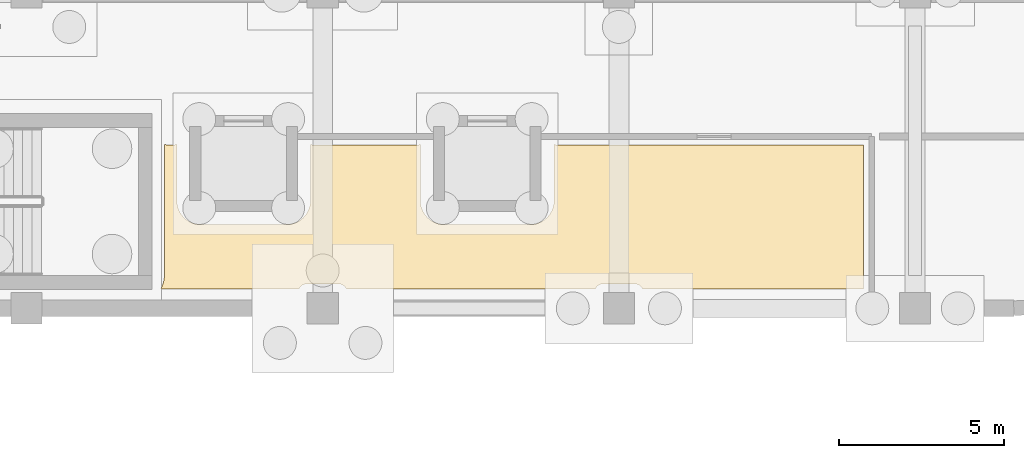
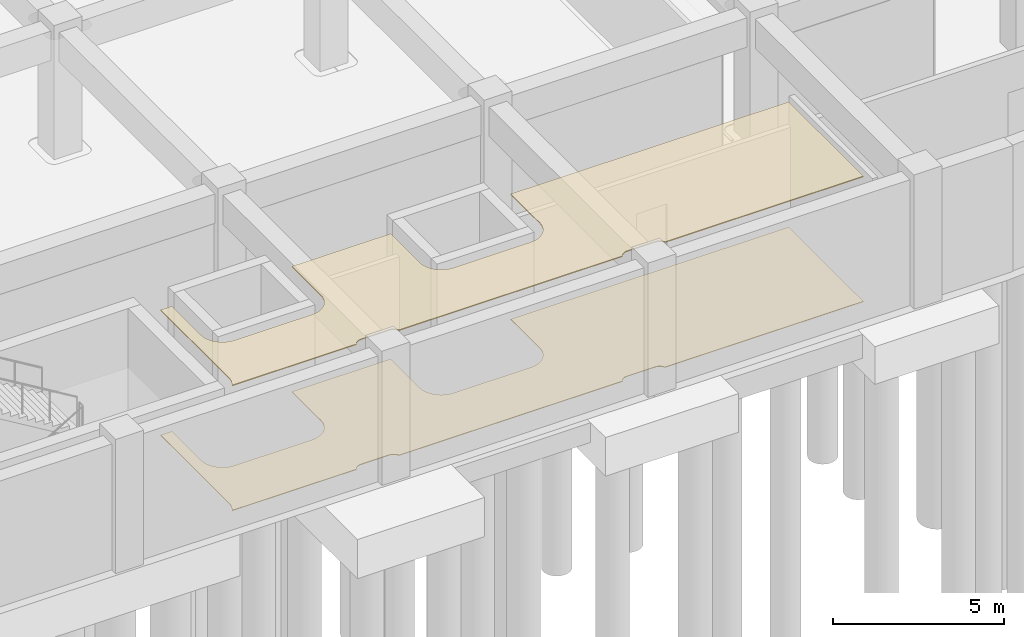
# One storey, part 32 of 47: 2 coverings.
"""IFC4 building model written with IfcOpenShell, lengths in metres."""

from ifc_helpers import new_model, si_unit, direction, frame, origin, place, context, subcontext, project, spatial, polyline, outline, extrude, material, layer, layer_set, type_object, element, save


model = new_model("IFC4")

# Units and contexts
model_context = context("Model", 3, precision=1e-05, world=origin(), true_north=direction((0.0, 1.0)))
body_context = subcontext(model_context, "Body", "Model", "MODEL_VIEW")
ifc_project = project(units=[si_unit("LENGTHUNIT", "METRE"), si_unit("AREAUNIT", "SQUARE_METRE"), si_unit("VOLUMEUNIT", "CUBIC_METRE"), si_unit("PLANEANGLEUNIT", "RADIAN"), si_unit("MASSUNIT", "GRAM", prefix="KILO")], contexts=[model_context])

# Site, building, storey
site_placement = place(None, origin())
site = spatial("IfcSite", under=ifc_project, at=site_placement, CompositionType="ELEMENT")
building_placement = place(site_placement, origin())
building = spatial("IfcBuilding", under=site, at=building_placement, Name="Cendralis Terraced Arcade", CompositionType="ELEMENT")
storey_placement = place(building_placement, frame((0.0, 0.0, -4.800048828125)))
storey = spatial("IfcBuildingStorey", under=building, at=storey_placement, Name="B1", CompositionType="ELEMENT", Elevation=-4.800048828125)

# Coverings
ifc_material = material(Name="Warm Andean oak timber", Category="wood")
ifc_layer_1 = layer(ifc_material, 0.034912109375, Name="COV-CEIL-OAK-35")
ifc_layer_set_1 = layer_set([ifc_layer_1], Name="Warm Andean oak timber")
covering_type_1 = type_object("IfcCoveringType", Name="COV-CEIL-OAK-35", PredefinedType="CEILING", material=ifc_layer_set_1)
covering_1_placement = place(storey_placement, frame((0.0, 0.0, 4.465087890625)))
element("IfcCovering", 1, at=covering_1_placement, inside=storey, type_object=covering_type_1, Name="Acoustic Soffit Ceiling B1-011", PredefinedType="CEILING", context=body_context, shape_type="SweptSolid", body=[
    extrude(outline(polyline([(80.287841796875, 10.2119140625), (80.293701171875, 10.222412109375), (80.29931640625, 10.23291015625), (80.304931640625, 10.243896484375), (80.322509765625, 10.281005859375), (80.327392578125, 10.292236328125), (80.33203125, 10.30322265625), (80.33642578125, 10.314697265625), (80.350341796875, 10.353515625), (80.35400390625, 10.364990234375), (80.357666015625, 10.37646484375), (80.36083984375, 10.38818359375), (80.370849609375, 10.42822265625), (80.37353515625, 10.440185546875), (80.375732421875, 10.45166015625), (80.3779296875, 10.4638671875), (80.384033203125, 10.50439453125), (80.385498046875, 10.5166015625), (80.38671875, 10.5283203125), (80.387451171875, 10.540771484375), (80.3896484375, 10.581787109375), (80.389892578125, 10.587890625), (80.389892578125, 10.593994140625), (80.389892578125, 10.60009765625), (80.389892578125, 14.572998046875), (80.438232421875, 14.570556640625), (80.44140625, 14.570556640625), (80.4443359375, 14.5703125), (80.447509765625, 14.5703125), (80.453369140625, 14.570068359375), (80.456298828125, 14.570068359375), (80.459228515625, 14.570068359375), (80.46240234375, 14.570068359375), (80.693115234375, 14.570068359375), (80.6962890625, 14.570068359375), (80.69921875, 14.570068359375), (80.7021484375, 14.570068359375), (80.7080078125, 14.5703125), (80.711181640625, 14.5703125), (80.714111328125, 14.570556640625), (80.717041015625, 14.570556640625), (80.77001953125, 14.5732421875), (80.77001953125, 12.875), (80.77001953125, 12.868896484375), (80.770263671875, 12.863037109375), (80.7705078125, 12.856689453125), (80.772216796875, 12.821533203125), (80.773193359375, 12.809326171875), (80.774169921875, 12.797607421875), (80.775634765625, 12.785400390625), (80.781005859375, 12.75048828125), (80.782958984375, 12.73828125), (80.785400390625, 12.726806640625), (80.7880859375, 12.71484375), (80.796630859375, 12.6806640625), (80.7998046875, 12.668701171875), (80.80322265625, 12.657470703125), (80.80712890625, 12.645751953125), (80.819091796875, 12.612548828125), (80.823486328125, 12.60107421875), (80.827880859375, 12.59033203125), (80.8330078125, 12.5791015625), (80.847900390625, 12.547119140625), (80.853515625, 12.5361328125), (80.859130859375, 12.52587890625), (80.864990234375, 12.51513671875), (80.88330078125, 12.48486328125), (80.889892578125, 12.474365234375), (80.896484375, 12.464599609375), (80.903564453125, 12.45458984375), (80.924560546875, 12.42626953125), (80.93212890625, 12.41650390625), (80.939453125, 12.407470703125), (80.947509765625, 12.398193359375), (80.97119140625, 12.3720703125), (80.979736328125, 12.363037109375), (80.988037109375, 12.354736328125), (80.9970703125, 12.34619140625), (81.023193359375, 12.322509765625), (81.032470703125, 12.314453125), (81.04150390625, 12.30712890625), (81.05126953125, 12.299560546875), (81.07958984375, 12.278564453125), (81.089599609375, 12.271484375), (81.099365234375, 12.264892578125), (81.10986328125, 12.25830078125), (81.14013671875, 12.239990234375), (81.15087890625, 12.234130859375), (81.1611328125, 12.228515625), (81.172119140625, 12.222900390625), (81.2041015625, 12.2080078125), (81.21533203125, 12.202880859375), (81.22607421875, 12.198486328125), (81.237548828125, 12.194091796875), (81.270751953125, 12.18212890625), (81.282470703125, 12.17822265625), (81.293701171875, 12.1748046875), (81.3056640625, 12.171630859375), (81.33984375, 12.1630859375), (81.351806640625, 12.160400390625), (81.36328125, 12.157958984375), (81.37548828125, 12.156005859375), (81.410400390625, 12.150634765625), (81.422607421875, 12.149169921875), (81.434326171875, 12.148193359375), (81.446533203125, 12.147216796875), (81.481689453125, 12.1455078125), (81.488037109375, 12.145263671875), (81.493896484375, 12.14501953125), (81.5, 12.14501953125), (84.10009765625, 12.14501953125), (84.106201171875, 12.14501953125), (84.112060546875, 12.145263671875), (84.1181640625, 12.1455078125), (84.1533203125, 12.147216796875), (84.165771484375, 12.148193359375), (84.177490234375, 12.149169921875), (84.189697265625, 12.150634765625), (84.224609375, 12.156005859375), (84.236572265625, 12.157958984375), (84.248291015625, 12.160400390625), (84.260009765625, 12.1630859375), (84.29443359375, 12.171630859375), (84.30615234375, 12.1748046875), (84.3173828125, 12.17822265625), (84.3291015625, 12.18212890625), (84.3623046875, 12.194091796875), (84.373779296875, 12.198486328125), (84.384765625, 12.202880859375), (84.39599609375, 12.2080078125), (84.427978515625, 12.222900390625), (84.43896484375, 12.228515625), (84.44921875, 12.234130859375), (84.4599609375, 12.239990234375), (84.490234375, 12.25830078125), (84.50048828125, 12.264892578125), (84.510498046875, 12.271484375), (84.5205078125, 12.278564453125), (84.548828125, 12.299560546875), (84.55859375, 12.30712890625), (84.567626953125, 12.314453125), (84.576904296875, 12.322509765625), (84.60302734375, 12.34619140625), (84.61181640625, 12.354736328125), (84.6201171875, 12.363037109375), (84.628662109375, 12.3720703125), (84.65234375, 12.398193359375), (84.660400390625, 12.407470703125), (84.66796875, 12.41650390625), (84.675537109375, 12.42626953125), (84.696533203125, 12.45458984375), (84.70361328125, 12.464599609375), (84.710205078125, 12.474365234375), (84.716796875, 12.48486328125), (84.73486328125, 12.51513671875), (84.740966796875, 12.52587890625), (84.74658203125, 12.5361328125), (84.751953125, 12.547119140625), (84.76708984375, 12.5791015625), (84.77197265625, 12.59033203125), (84.776611328125, 12.60107421875), (84.781005859375, 12.612548828125), (84.79296875, 12.645751953125), (84.796630859375, 12.657470703125), (84.800048828125, 12.668701171875), (84.803466796875, 12.6806640625), (84.81201171875, 12.71484375), (84.814697265625, 12.726806640625), (84.81689453125, 12.73828125), (84.819091796875, 12.75048828125), (84.82421875, 12.785400390625), (84.82568359375, 12.797607421875), (84.826904296875, 12.809326171875), (84.827880859375, 12.821533203125), (84.82958984375, 12.856689453125), (84.829833984375, 12.863037109375), (84.829833984375, 12.868896484375), (84.830078125, 12.875), (84.830078125, 14.5732421875), (84.8828125, 14.570556640625), (84.885986328125, 14.570556640625), (84.888916015625, 14.5703125), (84.891845703125, 14.5703125), (84.897705078125, 14.570068359375), (84.90087890625, 14.570068359375), (84.90380859375, 14.570068359375), (84.906982421875, 14.570068359375), (88.093017578125, 14.570068359375), (88.09619140625, 14.570068359375), (88.09912109375, 14.570068359375), (88.102294921875, 14.570068359375), (88.108154296875, 14.5703125), (88.111083984375, 14.5703125), (88.114013671875, 14.570556640625), (88.1171875, 14.570556640625), (88.169921875, 14.5732421875), (88.169921875, 12.875), (88.170166015625, 12.868896484375), (88.170166015625, 12.863037109375), (88.17041015625, 12.856689453125), (88.172119140625, 12.821533203125), (88.173095703125, 12.809326171875), (88.17431640625, 12.797607421875), (88.17578125, 12.785400390625), (88.180908203125, 12.75048828125), (88.18310546875, 12.73828125), (88.185302734375, 12.726806640625), (88.18798828125, 12.71484375), (88.196533203125, 12.6806640625), (88.199951171875, 12.668701171875), (88.203369140625, 12.657470703125), (88.20703125, 12.645751953125), (88.218994140625, 12.612548828125), (88.223388671875, 12.60107421875), (88.22802734375, 12.59033203125), (88.23291015625, 12.5791015625), (88.248046875, 12.547119140625), (88.25341796875, 12.5361328125), (88.259033203125, 12.52587890625), (88.26513671875, 12.51513671875), (88.283203125, 12.48486328125), (88.289794921875, 12.474365234375), (88.29638671875, 12.464599609375), (88.303466796875, 12.45458984375), (88.324462890625, 12.42626953125), (88.33203125, 12.41650390625), (88.339599609375, 12.407470703125), (88.34765625, 12.398193359375), (88.371337890625, 12.3720703125), (88.3798828125, 12.363037109375), (88.38818359375, 12.354736328125), (88.39697265625, 12.34619140625), (88.423095703125, 12.322509765625), (88.432373046875, 12.314453125), (88.44140625, 12.30712890625), (88.451171875, 12.299560546875), (88.4794921875, 12.278564453125), (88.489501953125, 12.271484375), (88.49951171875, 12.264892578125), (88.509765625, 12.25830078125), (88.5400390625, 12.239990234375), (88.55078125, 12.234130859375), (88.56103515625, 12.228515625), (88.572021484375, 12.222900390625), (88.60400390625, 12.2080078125), (88.615234375, 12.202880859375), (88.626220703125, 12.198486328125), (88.6376953125, 12.194091796875), (88.6708984375, 12.18212890625), (88.6826171875, 12.17822265625), (88.69384765625, 12.1748046875), (88.70556640625, 12.171630859375), (88.739990234375, 12.1630859375), (88.751708984375, 12.160400390625), (88.763427734375, 12.157958984375), (88.775390625, 12.156005859375), (88.810302734375, 12.150634765625), (88.822509765625, 12.149169921875), (88.834228515625, 12.148193359375), (88.8466796875, 12.147216796875), (88.8818359375, 12.1455078125), (88.887939453125, 12.145263671875), (88.893798828125, 12.14501953125), (88.89990234375, 12.14501953125), (91.5, 12.14501953125), (91.506103515625, 12.14501953125), (91.511962890625, 12.145263671875), (91.518310546875, 12.1455078125), (91.553466796875, 12.147216796875), (91.565673828125, 12.148193359375), (91.577392578125, 12.149169921875), (91.589599609375, 12.150634765625), (91.62451171875, 12.156005859375), (91.63671875, 12.157958984375), (91.648193359375, 12.160400390625), (91.66015625, 12.1630859375), (91.6943359375, 12.171630859375), (91.706298828125, 12.1748046875), (91.717529296875, 12.17822265625), (91.729248046875, 12.18212890625), (91.762451171875, 12.194091796875), (91.77392578125, 12.198486328125), (91.78466796875, 12.202880859375), (91.7958984375, 12.2080078125), (91.827880859375, 12.222900390625), (91.8388671875, 12.228515625), (91.84912109375, 12.234130859375), (91.85986328125, 12.239990234375), (91.89013671875, 12.25830078125), (91.900634765625, 12.264892578125), (91.910400390625, 12.271484375), (91.92041015625, 12.278564453125), (91.94873046875, 12.299560546875), (91.95849609375, 12.30712890625), (91.967529296875, 12.314453125), (91.976806640625, 12.322509765625), (92.0029296875, 12.34619140625), (92.011962890625, 12.354736328125), (92.020263671875, 12.363037109375), (92.02880859375, 12.3720703125), (92.052490234375, 12.398193359375), (92.060546875, 12.407470703125), (92.06787109375, 12.41650390625), (92.075439453125, 12.42626953125), (92.096435546875, 12.45458984375), (92.103515625, 12.464599609375), (92.110107421875, 12.474365234375), (92.11669921875, 12.48486328125), (92.135009765625, 12.51513671875), (92.140869140625, 12.52587890625), (92.146484375, 12.5361328125), (92.152099609375, 12.547119140625), (92.1669921875, 12.5791015625), (92.172119140625, 12.59033203125), (92.176513671875, 12.60107421875), (92.180908203125, 12.612548828125), (92.19287109375, 12.645751953125), (92.19677734375, 12.657470703125), (92.2001953125, 12.668701171875), (92.203369140625, 12.6806640625), (92.2119140625, 12.71484375), (92.214599609375, 12.726806640625), (92.217041015625, 12.73828125), (92.218994140625, 12.75048828125), (92.224365234375, 12.785400390625), (92.225830078125, 12.797607421875), (92.226806640625, 12.809326171875), (92.227783203125, 12.821533203125), (92.2294921875, 12.856689453125), (92.229736328125, 12.863037109375), (92.22998046875, 12.868896484375), (92.22998046875, 12.875), (92.22998046875, 14.5732421875), (92.282958984375, 14.570556640625), (92.285888671875, 14.570556640625), (92.288818359375, 14.5703125), (92.2919921875, 14.5703125), (92.2978515625, 14.570068359375), (92.30078125, 14.570068359375), (92.3037109375, 14.570068359375), (92.306884765625, 14.570068359375), (101.6298828125, 14.570068359375), (101.6298828125, 10.18994140625), (94.919189453125, 10.18994140625), (94.918701171875, 10.19140625), (94.906982421875, 10.212890625), (94.906005859375, 10.214599609375), (94.892333984375, 10.235107421875), (94.891357421875, 10.236572265625), (94.875732421875, 10.255615234375), (94.87451171875, 10.257080078125), (94.85693359375, 10.2744140625), (94.855712890625, 10.275634765625), (94.836669921875, 10.291259765625), (94.8349609375, 10.29248046875), (94.814697265625, 10.30615234375), (94.81298828125, 10.30712890625), (94.791259765625, 10.318603515625), (94.78955078125, 10.319580078125), (94.766845703125, 10.328857421875), (94.764892578125, 10.32958984375), (94.74169921875, 10.336669921875), (94.739501953125, 10.337158203125), (94.715576171875, 10.341796875), (94.713623046875, 10.34228515625), (94.689208984375, 10.344482421875), (94.687255859375, 10.3447265625), (94.675048828125, 10.344970703125), (93.72509765625, 10.344970703125), (93.712646484375, 10.3447265625), (93.710693359375, 10.344482421875), (93.686279296875, 10.34228515625), (93.684326171875, 10.341796875), (93.660400390625, 10.337158203125), (93.658447265625, 10.336669921875), (93.635009765625, 10.32958984375), (93.633056640625, 10.328857421875), (93.610595703125, 10.319580078125), (93.608642578125, 10.318603515625), (93.5869140625, 10.30712890625), (93.58544921875, 10.30615234375), (93.56494140625, 10.29248046875), (93.5634765625, 10.291259765625), (93.54443359375, 10.275634765625), (93.54296875, 10.2744140625), (93.525634765625, 10.257080078125), (93.5244140625, 10.255615234375), (93.5087890625, 10.236572265625), (93.507568359375, 10.235107421875), (93.493896484375, 10.214599609375), (93.492919921875, 10.212890625), (93.4814453125, 10.19140625), (93.480712890625, 10.18994140625), (85.919189453125, 10.18994140625), (85.918701171875, 10.19140625), (85.906982421875, 10.212890625), (85.906005859375, 10.214599609375), (85.892333984375, 10.235107421875), (85.891357421875, 10.236572265625), (85.875732421875, 10.255615234375), (85.87451171875, 10.257080078125), (85.85693359375, 10.2744140625), (85.855712890625, 10.275634765625), (85.836669921875, 10.291259765625), (85.8349609375, 10.29248046875), (85.814697265625, 10.30615234375), (85.81298828125, 10.30712890625), (85.791259765625, 10.318603515625), (85.78955078125, 10.319580078125), (85.766845703125, 10.328857421875), (85.764892578125, 10.32958984375), (85.74169921875, 10.336669921875), (85.739501953125, 10.337158203125), (85.715576171875, 10.341796875), (85.713623046875, 10.34228515625), (85.689208984375, 10.344482421875), (85.687255859375, 10.3447265625), (85.675048828125, 10.344970703125), (84.72509765625, 10.344970703125), (84.712646484375, 10.3447265625), (84.710693359375, 10.344482421875), (84.686279296875, 10.34228515625), (84.684326171875, 10.341796875), (84.660400390625, 10.337158203125), (84.658447265625, 10.336669921875), (84.635009765625, 10.32958984375), (84.633056640625, 10.328857421875), (84.610595703125, 10.319580078125), (84.608642578125, 10.318603515625), (84.5869140625, 10.30712890625), (84.58544921875, 10.30615234375), (84.56494140625, 10.29248046875), (84.5634765625, 10.291259765625), (84.54443359375, 10.275634765625), (84.54296875, 10.2744140625), (84.525634765625, 10.257080078125), (84.5244140625, 10.255615234375), (84.5087890625, 10.236572265625), (84.507568359375, 10.235107421875), (84.493896484375, 10.214599609375), (84.492919921875, 10.212890625), (84.4814453125, 10.19140625), (84.480712890625, 10.18994140625), (80.274658203125, 10.18994140625), (80.287841796875, 10.2119140625)])), origin(), (0.0, 0.0, 1.0), 0.034912109375),
])
ifc_layer_2 = layer(ifc_material, 0.02197265625, Name="COV-FLR-OAK-22")
ifc_layer_set_2 = layer_set([ifc_layer_2], Name="Warm Andean oak timber")
covering_type_2 = type_object("IfcCoveringType", Name="COV-FLR-OAK-22", PredefinedType="FLOORING", material=ifc_layer_set_2)
covering_2_placement = place(storey_placement, origin())
element("IfcCovering", 2, at=covering_2_placement, inside=storey, type_object=covering_type_2, Name="Interior Finish Flooring B1-011", PredefinedType="FLOORING", context=body_context, shape_type="SweptSolid", body=[
    extrude(outline(polyline([(80.287841796875, 10.2119140625), (80.293701171875, 10.222412109375), (80.29931640625, 10.23291015625), (80.304931640625, 10.243896484375), (80.322509765625, 10.281005859375), (80.327392578125, 10.292236328125), (80.33203125, 10.30322265625), (80.33642578125, 10.314697265625), (80.350341796875, 10.353515625), (80.35400390625, 10.364990234375), (80.357666015625, 10.37646484375), (80.36083984375, 10.38818359375), (80.370849609375, 10.42822265625), (80.37353515625, 10.440185546875), (80.375732421875, 10.45166015625), (80.3779296875, 10.4638671875), (80.384033203125, 10.50439453125), (80.385498046875, 10.5166015625), (80.38671875, 10.5283203125), (80.387451171875, 10.540771484375), (80.3896484375, 10.581787109375), (80.389892578125, 10.587890625), (80.389892578125, 10.593994140625), (80.389892578125, 10.60009765625), (80.389892578125, 14.572998046875), (80.438232421875, 14.570556640625), (80.44140625, 14.570556640625), (80.4443359375, 14.5703125), (80.447509765625, 14.5703125), (80.453369140625, 14.570068359375), (80.456298828125, 14.570068359375), (80.459228515625, 14.570068359375), (80.46240234375, 14.570068359375), (80.693115234375, 14.570068359375), (80.6962890625, 14.570068359375), (80.69921875, 14.570068359375), (80.7021484375, 14.570068359375), (80.7080078125, 14.5703125), (80.711181640625, 14.5703125), (80.714111328125, 14.570556640625), (80.717041015625, 14.570556640625), (80.77001953125, 14.5732421875), (80.77001953125, 12.875), (80.77001953125, 12.868896484375), (80.770263671875, 12.863037109375), (80.7705078125, 12.856689453125), (80.772216796875, 12.821533203125), (80.773193359375, 12.809326171875), (80.774169921875, 12.797607421875), (80.775634765625, 12.785400390625), (80.781005859375, 12.75048828125), (80.782958984375, 12.73828125), (80.785400390625, 12.726806640625), (80.7880859375, 12.71484375), (80.796630859375, 12.6806640625), (80.7998046875, 12.668701171875), (80.80322265625, 12.657470703125), (80.80712890625, 12.645751953125), (80.819091796875, 12.612548828125), (80.823486328125, 12.60107421875), (80.827880859375, 12.59033203125), (80.8330078125, 12.5791015625), (80.847900390625, 12.547119140625), (80.853515625, 12.5361328125), (80.859130859375, 12.52587890625), (80.864990234375, 12.51513671875), (80.88330078125, 12.48486328125), (80.889892578125, 12.474365234375), (80.896484375, 12.464599609375), (80.903564453125, 12.45458984375), (80.924560546875, 12.42626953125), (80.93212890625, 12.41650390625), (80.939453125, 12.407470703125), (80.947509765625, 12.398193359375), (80.97119140625, 12.3720703125), (80.979736328125, 12.363037109375), (80.988037109375, 12.354736328125), (80.9970703125, 12.34619140625), (81.023193359375, 12.322509765625), (81.032470703125, 12.314453125), (81.04150390625, 12.30712890625), (81.05126953125, 12.299560546875), (81.07958984375, 12.278564453125), (81.089599609375, 12.271484375), (81.099365234375, 12.264892578125), (81.10986328125, 12.25830078125), (81.14013671875, 12.239990234375), (81.15087890625, 12.234130859375), (81.1611328125, 12.228515625), (81.172119140625, 12.222900390625), (81.2041015625, 12.2080078125), (81.21533203125, 12.202880859375), (81.22607421875, 12.198486328125), (81.237548828125, 12.194091796875), (81.270751953125, 12.18212890625), (81.282470703125, 12.17822265625), (81.293701171875, 12.1748046875), (81.3056640625, 12.171630859375), (81.33984375, 12.1630859375), (81.351806640625, 12.160400390625), (81.36328125, 12.157958984375), (81.37548828125, 12.156005859375), (81.410400390625, 12.150634765625), (81.422607421875, 12.149169921875), (81.434326171875, 12.148193359375), (81.446533203125, 12.147216796875), (81.481689453125, 12.1455078125), (81.488037109375, 12.145263671875), (81.493896484375, 12.14501953125), (81.5, 12.14501953125), (84.10009765625, 12.14501953125), (84.106201171875, 12.14501953125), (84.112060546875, 12.145263671875), (84.1181640625, 12.1455078125), (84.1533203125, 12.147216796875), (84.165771484375, 12.148193359375), (84.177490234375, 12.149169921875), (84.189697265625, 12.150634765625), (84.224609375, 12.156005859375), (84.236572265625, 12.157958984375), (84.248291015625, 12.160400390625), (84.260009765625, 12.1630859375), (84.29443359375, 12.171630859375), (84.30615234375, 12.1748046875), (84.3173828125, 12.17822265625), (84.3291015625, 12.18212890625), (84.3623046875, 12.194091796875), (84.373779296875, 12.198486328125), (84.384765625, 12.202880859375), (84.39599609375, 12.2080078125), (84.427978515625, 12.222900390625), (84.43896484375, 12.228515625), (84.44921875, 12.234130859375), (84.4599609375, 12.239990234375), (84.490234375, 12.25830078125), (84.50048828125, 12.264892578125), (84.510498046875, 12.271484375), (84.5205078125, 12.278564453125), (84.548828125, 12.299560546875), (84.55859375, 12.30712890625), (84.567626953125, 12.314453125), (84.576904296875, 12.322509765625), (84.60302734375, 12.34619140625), (84.61181640625, 12.354736328125), (84.6201171875, 12.363037109375), (84.628662109375, 12.3720703125), (84.65234375, 12.398193359375), (84.660400390625, 12.407470703125), (84.66796875, 12.41650390625), (84.675537109375, 12.42626953125), (84.696533203125, 12.45458984375), (84.70361328125, 12.464599609375), (84.710205078125, 12.474365234375), (84.716796875, 12.48486328125), (84.73486328125, 12.51513671875), (84.740966796875, 12.52587890625), (84.74658203125, 12.5361328125), (84.751953125, 12.547119140625), (84.76708984375, 12.5791015625), (84.77197265625, 12.59033203125), (84.776611328125, 12.60107421875), (84.781005859375, 12.612548828125), (84.79296875, 12.645751953125), (84.796630859375, 12.657470703125), (84.800048828125, 12.668701171875), (84.803466796875, 12.6806640625), (84.81201171875, 12.71484375), (84.814697265625, 12.726806640625), (84.81689453125, 12.73828125), (84.819091796875, 12.75048828125), (84.82421875, 12.785400390625), (84.82568359375, 12.797607421875), (84.826904296875, 12.809326171875), (84.827880859375, 12.821533203125), (84.82958984375, 12.856689453125), (84.829833984375, 12.863037109375), (84.829833984375, 12.868896484375), (84.830078125, 12.875), (84.830078125, 14.5732421875), (84.8828125, 14.570556640625), (84.885986328125, 14.570556640625), (84.888916015625, 14.5703125), (84.891845703125, 14.5703125), (84.897705078125, 14.570068359375), (84.90087890625, 14.570068359375), (84.90380859375, 14.570068359375), (84.906982421875, 14.570068359375), (88.093017578125, 14.570068359375), (88.09619140625, 14.570068359375), (88.09912109375, 14.570068359375), (88.102294921875, 14.570068359375), (88.108154296875, 14.5703125), (88.111083984375, 14.5703125), (88.114013671875, 14.570556640625), (88.1171875, 14.570556640625), (88.169921875, 14.5732421875), (88.169921875, 12.875), (88.170166015625, 12.868896484375), (88.170166015625, 12.863037109375), (88.17041015625, 12.856689453125), (88.172119140625, 12.821533203125), (88.173095703125, 12.809326171875), (88.17431640625, 12.797607421875), (88.17578125, 12.785400390625), (88.180908203125, 12.75048828125), (88.18310546875, 12.73828125), (88.185302734375, 12.726806640625), (88.18798828125, 12.71484375), (88.196533203125, 12.6806640625), (88.199951171875, 12.668701171875), (88.203369140625, 12.657470703125), (88.20703125, 12.645751953125), (88.218994140625, 12.612548828125), (88.223388671875, 12.60107421875), (88.22802734375, 12.59033203125), (88.23291015625, 12.5791015625), (88.248046875, 12.547119140625), (88.25341796875, 12.5361328125), (88.259033203125, 12.52587890625), (88.26513671875, 12.51513671875), (88.283203125, 12.48486328125), (88.289794921875, 12.474365234375), (88.29638671875, 12.464599609375), (88.303466796875, 12.45458984375), (88.324462890625, 12.42626953125), (88.33203125, 12.41650390625), (88.339599609375, 12.407470703125), (88.34765625, 12.398193359375), (88.371337890625, 12.3720703125), (88.3798828125, 12.363037109375), (88.38818359375, 12.354736328125), (88.39697265625, 12.34619140625), (88.423095703125, 12.322509765625), (88.432373046875, 12.314453125), (88.44140625, 12.30712890625), (88.451171875, 12.299560546875), (88.4794921875, 12.278564453125), (88.489501953125, 12.271484375), (88.49951171875, 12.264892578125), (88.509765625, 12.25830078125), (88.5400390625, 12.239990234375), (88.55078125, 12.234130859375), (88.56103515625, 12.228515625), (88.572021484375, 12.222900390625), (88.60400390625, 12.2080078125), (88.615234375, 12.202880859375), (88.626220703125, 12.198486328125), (88.6376953125, 12.194091796875), (88.6708984375, 12.18212890625), (88.6826171875, 12.17822265625), (88.69384765625, 12.1748046875), (88.70556640625, 12.171630859375), (88.739990234375, 12.1630859375), (88.751708984375, 12.160400390625), (88.763427734375, 12.157958984375), (88.775390625, 12.156005859375), (88.810302734375, 12.150634765625), (88.822509765625, 12.149169921875), (88.834228515625, 12.148193359375), (88.8466796875, 12.147216796875), (88.8818359375, 12.1455078125), (88.887939453125, 12.145263671875), (88.893798828125, 12.14501953125), (88.89990234375, 12.14501953125), (91.5, 12.14501953125), (91.506103515625, 12.14501953125), (91.511962890625, 12.145263671875), (91.518310546875, 12.1455078125), (91.553466796875, 12.147216796875), (91.565673828125, 12.148193359375), (91.577392578125, 12.149169921875), (91.589599609375, 12.150634765625), (91.62451171875, 12.156005859375), (91.63671875, 12.157958984375), (91.648193359375, 12.160400390625), (91.66015625, 12.1630859375), (91.6943359375, 12.171630859375), (91.706298828125, 12.1748046875), (91.717529296875, 12.17822265625), (91.729248046875, 12.18212890625), (91.762451171875, 12.194091796875), (91.77392578125, 12.198486328125), (91.78466796875, 12.202880859375), (91.7958984375, 12.2080078125), (91.827880859375, 12.222900390625), (91.8388671875, 12.228515625), (91.84912109375, 12.234130859375), (91.85986328125, 12.239990234375), (91.89013671875, 12.25830078125), (91.900634765625, 12.264892578125), (91.910400390625, 12.271484375), (91.92041015625, 12.278564453125), (91.94873046875, 12.299560546875), (91.95849609375, 12.30712890625), (91.967529296875, 12.314453125), (91.976806640625, 12.322509765625), (92.0029296875, 12.34619140625), (92.011962890625, 12.354736328125), (92.020263671875, 12.363037109375), (92.02880859375, 12.3720703125), (92.052490234375, 12.398193359375), (92.060546875, 12.407470703125), (92.06787109375, 12.41650390625), (92.075439453125, 12.42626953125), (92.096435546875, 12.45458984375), (92.103515625, 12.464599609375), (92.110107421875, 12.474365234375), (92.11669921875, 12.48486328125), (92.135009765625, 12.51513671875), (92.140869140625, 12.52587890625), (92.146484375, 12.5361328125), (92.152099609375, 12.547119140625), (92.1669921875, 12.5791015625), (92.172119140625, 12.59033203125), (92.176513671875, 12.60107421875), (92.180908203125, 12.612548828125), (92.19287109375, 12.645751953125), (92.19677734375, 12.657470703125), (92.2001953125, 12.668701171875), (92.203369140625, 12.6806640625), (92.2119140625, 12.71484375), (92.214599609375, 12.726806640625), (92.217041015625, 12.73828125), (92.218994140625, 12.75048828125), (92.224365234375, 12.785400390625), (92.225830078125, 12.797607421875), (92.226806640625, 12.809326171875), (92.227783203125, 12.821533203125), (92.2294921875, 12.856689453125), (92.229736328125, 12.863037109375), (92.22998046875, 12.868896484375), (92.22998046875, 12.875), (92.22998046875, 14.5732421875), (92.282958984375, 14.570556640625), (92.285888671875, 14.570556640625), (92.288818359375, 14.5703125), (92.2919921875, 14.5703125), (92.2978515625, 14.570068359375), (92.30078125, 14.570068359375), (92.3037109375, 14.570068359375), (92.306884765625, 14.570068359375), (101.6298828125, 14.570068359375), (101.6298828125, 10.18994140625), (94.919189453125, 10.18994140625), (94.918701171875, 10.19140625), (94.906982421875, 10.212890625), (94.906005859375, 10.214599609375), (94.892333984375, 10.235107421875), (94.891357421875, 10.236572265625), (94.875732421875, 10.255615234375), (94.87451171875, 10.257080078125), (94.85693359375, 10.2744140625), (94.855712890625, 10.275634765625), (94.836669921875, 10.291259765625), (94.8349609375, 10.29248046875), (94.814697265625, 10.30615234375), (94.81298828125, 10.30712890625), (94.791259765625, 10.318603515625), (94.78955078125, 10.319580078125), (94.766845703125, 10.328857421875), (94.764892578125, 10.32958984375), (94.74169921875, 10.336669921875), (94.739501953125, 10.337158203125), (94.715576171875, 10.341796875), (94.713623046875, 10.34228515625), (94.689208984375, 10.344482421875), (94.687255859375, 10.3447265625), (94.675048828125, 10.344970703125), (93.72509765625, 10.344970703125), (93.712646484375, 10.3447265625), (93.710693359375, 10.344482421875), (93.686279296875, 10.34228515625), (93.684326171875, 10.341796875), (93.660400390625, 10.337158203125), (93.658447265625, 10.336669921875), (93.635009765625, 10.32958984375), (93.633056640625, 10.328857421875), (93.610595703125, 10.319580078125), (93.608642578125, 10.318603515625), (93.5869140625, 10.30712890625), (93.58544921875, 10.30615234375), (93.56494140625, 10.29248046875), (93.5634765625, 10.291259765625), (93.54443359375, 10.275634765625), (93.54296875, 10.2744140625), (93.525634765625, 10.257080078125), (93.5244140625, 10.255615234375), (93.5087890625, 10.236572265625), (93.507568359375, 10.235107421875), (93.493896484375, 10.214599609375), (93.492919921875, 10.212890625), (93.4814453125, 10.19140625), (93.480712890625, 10.18994140625), (85.919189453125, 10.18994140625), (85.918701171875, 10.19140625), (85.906982421875, 10.212890625), (85.906005859375, 10.214599609375), (85.892333984375, 10.235107421875), (85.891357421875, 10.236572265625), (85.875732421875, 10.255615234375), (85.87451171875, 10.257080078125), (85.85693359375, 10.2744140625), (85.855712890625, 10.275634765625), (85.836669921875, 10.291259765625), (85.8349609375, 10.29248046875), (85.814697265625, 10.30615234375), (85.81298828125, 10.30712890625), (85.791259765625, 10.318603515625), (85.78955078125, 10.319580078125), (85.766845703125, 10.328857421875), (85.764892578125, 10.32958984375), (85.74169921875, 10.336669921875), (85.739501953125, 10.337158203125), (85.715576171875, 10.341796875), (85.713623046875, 10.34228515625), (85.689208984375, 10.344482421875), (85.687255859375, 10.3447265625), (85.675048828125, 10.344970703125), (84.72509765625, 10.344970703125), (84.712646484375, 10.3447265625), (84.710693359375, 10.344482421875), (84.686279296875, 10.34228515625), (84.684326171875, 10.341796875), (84.660400390625, 10.337158203125), (84.658447265625, 10.336669921875), (84.635009765625, 10.32958984375), (84.633056640625, 10.328857421875), (84.610595703125, 10.319580078125), (84.608642578125, 10.318603515625), (84.5869140625, 10.30712890625), (84.58544921875, 10.30615234375), (84.56494140625, 10.29248046875), (84.5634765625, 10.291259765625), (84.54443359375, 10.275634765625), (84.54296875, 10.2744140625), (84.525634765625, 10.257080078125), (84.5244140625, 10.255615234375), (84.5087890625, 10.236572265625), (84.507568359375, 10.235107421875), (84.493896484375, 10.214599609375), (84.492919921875, 10.212890625), (84.4814453125, 10.19140625), (84.480712890625, 10.18994140625), (80.274658203125, 10.18994140625), (80.287841796875, 10.2119140625)])), origin(), (0.0, 0.0, 1.0), 0.02197265625),
])

save(model, "model.ifc")
